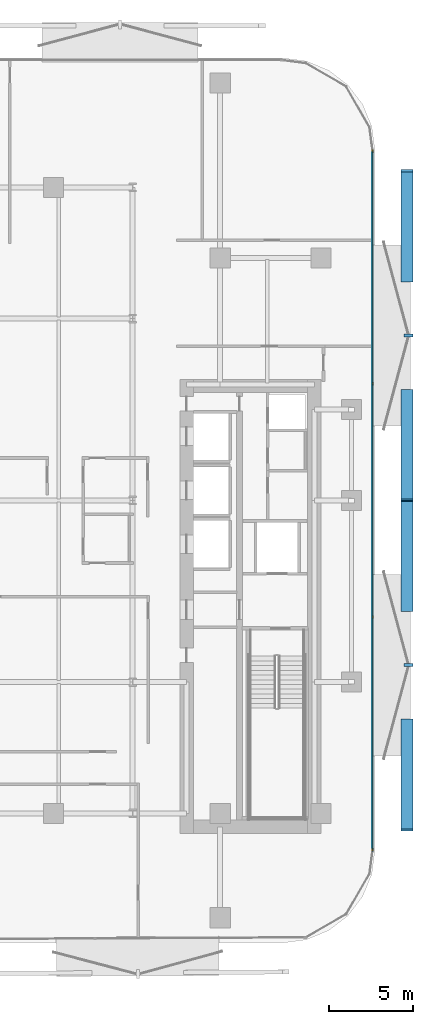
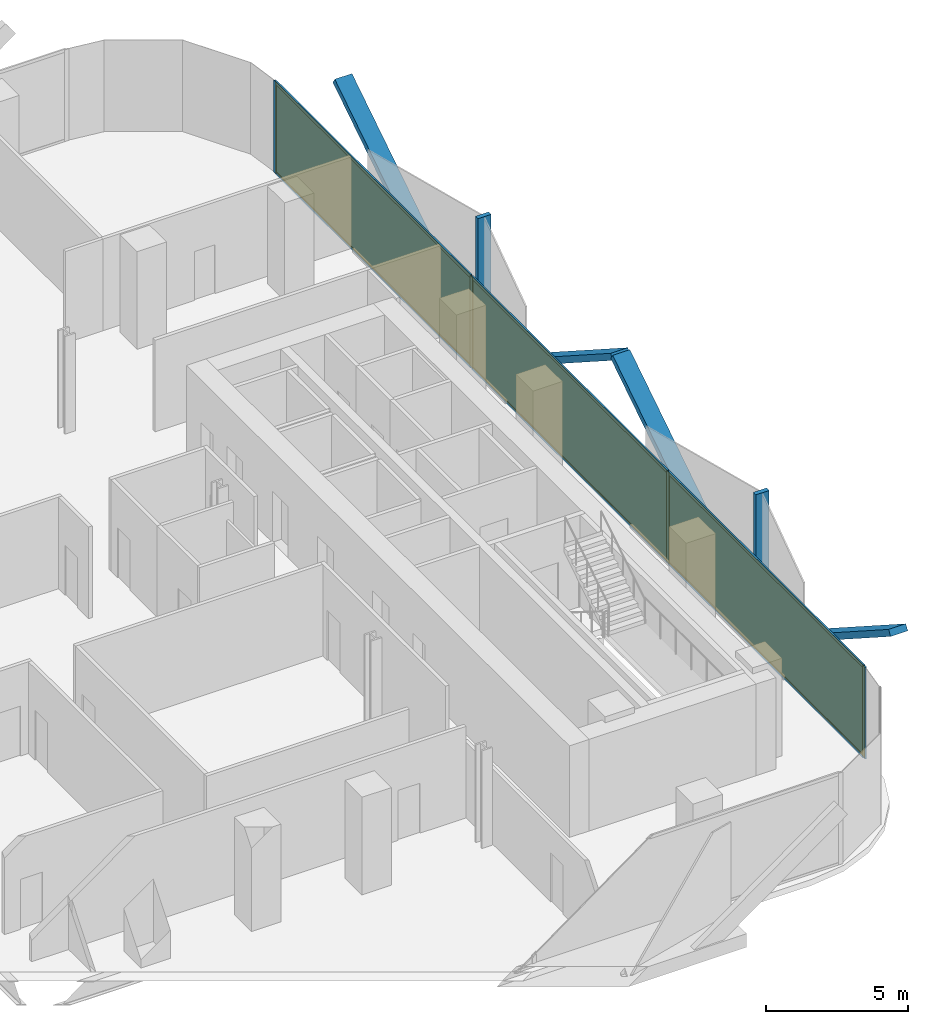
# One storey, part 9 of 15: 16 members, 3 plates, 1 curtain wall.
"""IFC4 building model written with IfcOpenShell, lengths in metres."""

from ifc_helpers import new_model, si_unit, direction, frame, frame_2d, origin, origin_2d, place, context, subcontext, project, spatial, rectangle, extrude, material, layer, layer_set, material_profile, profile_set, type_object, element, aggregate, save


model = new_model("IFC4")

# Units and contexts
model_context = context("Model", 3, precision=1e-05, world=origin(), true_north=direction((0.0, 1.0)))
body_context = subcontext(model_context, "Body", "Model", "MODEL_VIEW")
ifc_project = project(units=[si_unit("LENGTHUNIT", "METRE"), si_unit("AREAUNIT", "SQUARE_METRE"), si_unit("VOLUMEUNIT", "CUBIC_METRE"), si_unit("PLANEANGLEUNIT", "RADIAN"), si_unit("MASSUNIT", "GRAM", prefix="KILO")], contexts=[model_context])

# Member
ifc_material_1 = material(Name="Anodised Bronze Aluminium 6063-T6", Category="aluminium")
ifc_material_profile_1 = material_profile(ifc_material_1, rectangle(XDim=0.260009765625, YDim=0.699951171875, at=origin_2d()))
ifc_profile_set_1 = profile_set([ifc_material_profile_1], Name="Anodised Bronze Aluminium 6063-T6")
member_type_1 = type_object("IfcMemberType", Name="Bronze Diamond Solar-Screen Lattice Rib BDL-700", PredefinedType="MULLION", material=ifc_profile_set_1)
site_placement = place(None, origin())
building_placement = place(site_placement, origin())
storey_placement = place(building_placement, frame((0.0, 0.0, 126.800048828125)))
member_1_placement = place(storey_placement, frame((25.5, 6.5302734375, -0.130126953125), z_axis=(0.0, -0.841051770023, 0.540954637785), x_axis=(0.0, -0.540954637785, -0.841051770023)))
member_1 = element("IfcMember", 1, at=member_1_placement, type_object=member_type_1, Name="L29 Bronze Diamond Solar Screen Lattice Rib 183A", PredefinedType="MULLION", context=body_context, shape_type="SweptSolid", body=[
    extrude(rectangle(XDim=0.260009765625, YDim=0.699951171875, at=origin_2d()), origin(), (0.0, 0.0, 1.0), 7.764404296875),
])

member_2_placement = place(storey_placement, frame((25.5, 13.060546875, -0.130126953125), z_axis=(0.0, 0.841051770023, 0.540954637785), x_axis=(0.0, 0.540954637785, -0.841051770023)))
member_2 = element("IfcMember", 2, at=member_2_placement, type_object=member_type_1, Name="L29 Bronze Diamond Solar Screen Lattice Rib 183B", PredefinedType="MULLION", context=body_context, shape_type="SweptSolid", body=[
    extrude(rectangle(XDim=0.260009765625, YDim=0.699951171875, at=origin_2d()), origin(), (0.0, 0.0, 1.0), 7.764404296875),
])

member_3_placement = place(storey_placement, frame((25.5, -13.060546875, -0.130126953125), z_axis=(0.0, -0.841051770023, 0.540954637785), x_axis=(0.0, -0.540954637785, -0.841051770023)))
member_3 = element("IfcMember", 3, at=member_3_placement, type_object=member_type_1, Name="L29 Bronze Diamond Solar Screen Lattice Rib 184A", PredefinedType="MULLION", context=body_context, shape_type="SweptSolid", body=[
    extrude(rectangle(XDim=0.260009765625, YDim=0.699951171875, at=origin_2d()), origin(), (0.0, 0.0, 1.0), 7.764404296875),
])

member_4_placement = place(storey_placement, frame((25.5, -6.5302734375, -0.130126953125), z_axis=(0.0, 0.841051770023, 0.540954637785), x_axis=(0.0, 0.540954637785, -0.841051770023)))
member_4 = element("IfcMember", 4, at=member_4_placement, type_object=member_type_1, Name="L29 Bronze Diamond Solar Screen Lattice Rib 184B", PredefinedType="MULLION", context=body_context, shape_type="SweptSolid", body=[
    extrude(rectangle(XDim=0.260009765625, YDim=0.699951171875, at=origin_2d()), origin(), (0.0, 0.0, 1.0), 7.764404296875),
])

ifc_material_2 = material(Name="Anodised Bronze Aluminium 6063-T6", Category="aluminium")
ifc_material_profile_2 = material_profile(ifc_material_2, rectangle(XDim=0.179931640625, YDim=0.5400390625, at=origin_2d()))
ifc_profile_set_2 = profile_set([ifc_material_profile_2], Name="Anodised Bronze Aluminium 6063-T6")
member_type_2 = type_object("IfcMemberType", Name="Bronze Solar-Screen Vertical Fold Fin BSF-540", PredefinedType="MULLION", material=ifc_profile_set_2)
member_5_placement = place(storey_placement, frame((25.580078125, 9.79541015625, -0.130126953125), z_axis=(0.0, 0.0, 1.0), x_axis=(0.0, -1.0, 0.0)))
member_5 = element("IfcMember", 5, at=member_5_placement, type_object=member_type_2, Name="L29 Bronze Solar Screen Vertical Fin 183", PredefinedType="MULLION", context=body_context, shape_type="SweptSolid", body=[
    extrude(rectangle(XDim=0.179931640625, YDim=0.5400390625, at=origin_2d()), origin(), (0.0, 0.0, 1.0), 4.2001953125),
])

member_6_placement = place(storey_placement, frame((25.580078125, -9.79541015625, -0.130126953125), z_axis=(0.0, 0.0, 1.0), x_axis=(0.0, -1.0, 0.0)))
member_6 = element("IfcMember", 6, at=member_6_placement, type_object=member_type_2, Name="L29 Bronze Solar Screen Vertical Fin 184", PredefinedType="MULLION", context=body_context, shape_type="SweptSolid", body=[
    extrude(rectangle(XDim=0.179931640625, YDim=0.5400390625, at=origin_2d()), origin(), (0.0, 0.0, 1.0), 4.2001953125),
])

ifc_material_3 = material(Name="Anodised Bronze Aluminium 6063-T6", Category="aluminium")
ifc_material_profile_3 = material_profile(ifc_material_3, rectangle(XDim=0.06494140625, YDim=0.175048828125, at=origin_2d()))
ifc_profile_set_3 = profile_set([ifc_material_profile_3], Name="Anodised Bronze Aluminium 6063-T6")
member_type_3 = type_object("IfcMemberType", Name="CW-Z2 Mullion 65x175", PredefinedType="MULLION", material=ifc_profile_set_3)
member_7_placement = place(storey_placement, frame((23.4599609375, 20.75830078125, 0.0), z_axis=(0.0, 0.0, 1.0), x_axis=(1.0, 0.0, 0.0)))
member_7 = element("IfcMember", 7, at=member_7_placement, type_object=member_type_3, Name="CW-Z2 mullion 1", PredefinedType="MULLION", context=body_context, shape_type="SweptSolid", body=[
    extrude(rectangle(XDim=0.06494140625, YDim=0.175048828125, at=origin_2d()), origin(), (0.0, 0.0, 1.0), 3.93994140625),
])

member_8_placement = place(storey_placement, frame((23.4599609375, 6.93017578125, 0.0), z_axis=(0.0, 0.0, 1.0), x_axis=(1.0, 0.0, 0.0)))
member_8 = element("IfcMember", 8, at=member_8_placement, type_object=member_type_3, Name="CW-Z2 mullion 2", PredefinedType="MULLION", context=body_context, shape_type="SweptSolid", body=[
    extrude(rectangle(XDim=0.06494140625, YDim=0.175048828125, at=origin_2d()), origin(), (0.0, 0.0, 1.0), 3.93994140625),
])

member_9_placement = place(storey_placement, frame((23.4599609375, -6.93017578125, 0.0), z_axis=(0.0, 0.0, 1.0), x_axis=(1.0, 0.0, 0.0)))
member_9 = element("IfcMember", 9, at=member_9_placement, type_object=member_type_3, Name="CW-Z2 mullion 3", PredefinedType="MULLION", context=body_context, shape_type="SweptSolid", body=[
    extrude(rectangle(XDim=0.06494140625, YDim=0.175048828125, at=origin_2d()), origin(), (0.0, 0.0, 1.0), 3.93994140625),
])

member_10_placement = place(storey_placement, frame((23.4599609375, -20.75830078125, 0.0), z_axis=(0.0, 0.0, 1.0), x_axis=(1.0, 0.0, 0.0)))
member_10 = element("IfcMember", 10, at=member_10_placement, type_object=member_type_3, Name="CW-Z2 mullion 4", PredefinedType="MULLION", context=body_context, shape_type="SweptSolid", body=[
    extrude(rectangle(XDim=0.06494140625, YDim=0.175048828125, at=origin_2d()), origin(), (0.0, 0.0, 1.0), 3.93994140625),
])

ifc_material_4 = material(Name="Anodised Bronze Aluminium 6063-T6", Category="aluminium")
ifc_material_profile_4 = material_profile(ifc_material_4, rectangle(XDim=0.06494140625, YDim=0.135009765625, at=origin_2d()))
ifc_profile_set_4 = profile_set([ifc_material_profile_4], Name="Anodised Bronze Aluminium 6063-T6")
member_type_4 = type_object("IfcMemberType", Name="CW-Z2 Transom 65x135", PredefinedType="USERDEFINED", material=ifc_profile_set_4)
member_11_placement = place(storey_placement, frame((23.4599609375, 20.725830078125, 0.032470703125), z_axis=(0.0, -1.0, 0.0), x_axis=(1.0, 0.0, 0.0)))
member_11 = element("IfcMember", 11, at=member_11_placement, type_object=member_type_4, Name="CW-Z2 transom 1.1", ObjectType="TRANSOM", PredefinedType="USERDEFINED", context=body_context, shape_type="SweptSolid", body=[
    extrude(rectangle(XDim=0.06494140625, YDim=0.135009765625, at=origin_2d()), origin(), (0.0, 0.0, 1.0), 13.76318359375),
])

member_12_placement = place(storey_placement, frame((23.4599609375, 20.725830078125, 3.907470703125), z_axis=(0.0, -1.0, 0.0), x_axis=(1.0, 0.0, 0.0)))
member_12 = element("IfcMember", 12, at=member_12_placement, type_object=member_type_4, Name="CW-Z2 transom 1.2", ObjectType="TRANSOM", PredefinedType="USERDEFINED", context=body_context, shape_type="SweptSolid", body=[
    extrude(rectangle(XDim=0.06494140625, YDim=0.135009765625, at=origin_2d()), origin(), (0.0, 0.0, 1.0), 13.76318359375),
])

member_13_placement = place(storey_placement, frame((23.4599609375, 6.897705078125, 0.032470703125), z_axis=(0.0, -1.0, 0.0), x_axis=(1.0, 0.0, 0.0)))
member_13 = element("IfcMember", 13, at=member_13_placement, type_object=member_type_4, Name="CW-Z2 transom 2.1", ObjectType="TRANSOM", PredefinedType="USERDEFINED", context=body_context, shape_type="SweptSolid", body=[
    extrude(rectangle(XDim=0.06494140625, YDim=0.135009765625, at=origin_2d()), origin(), (0.0, 0.0, 1.0), 13.79541015625),
])

member_14_placement = place(storey_placement, frame((23.4599609375, 6.897705078125, 3.907470703125), z_axis=(0.0, -1.0, 0.0), x_axis=(1.0, 0.0, 0.0)))
member_14 = element("IfcMember", 14, at=member_14_placement, type_object=member_type_4, Name="CW-Z2 transom 2.2", ObjectType="TRANSOM", PredefinedType="USERDEFINED", context=body_context, shape_type="SweptSolid", body=[
    extrude(rectangle(XDim=0.06494140625, YDim=0.135009765625, at=origin_2d()), origin(), (0.0, 0.0, 1.0), 13.79541015625),
])

member_15_placement = place(storey_placement, frame((23.4599609375, -6.962646484375, 0.032470703125), z_axis=(0.0, -1.0, 0.0), x_axis=(1.0, 0.0, 0.0)))
member_15 = element("IfcMember", 15, at=member_15_placement, type_object=member_type_4, Name="CW-Z2 transom 3.1", ObjectType="TRANSOM", PredefinedType="USERDEFINED", context=body_context, shape_type="SweptSolid", body=[
    extrude(rectangle(XDim=0.06494140625, YDim=0.135009765625, at=origin_2d()), origin(), (0.0, 0.0, 1.0), 13.76318359375),
])

member_16_placement = place(storey_placement, frame((23.4599609375, -6.962646484375, 3.907470703125), z_axis=(0.0, -1.0, 0.0), x_axis=(1.0, 0.0, 0.0)))
member_16 = element("IfcMember", 16, at=member_16_placement, type_object=member_type_4, Name="CW-Z2 transom 3.2", ObjectType="TRANSOM", PredefinedType="USERDEFINED", context=body_context, shape_type="SweptSolid", body=[
    extrude(rectangle(XDim=0.06494140625, YDim=0.135009765625, at=origin_2d()), origin(), (0.0, 0.0, 1.0), 13.76318359375),
])

# Plate
ifc_material_5 = material(Name="Low-E Solar Control Laminated Glass", Category="glass")
ifc_layer_1 = layer(ifc_material_5, 0.028076171875, Name="Low-E Solar Control Laminated Glass")
ifc_layer_set_1 = layer_set([ifc_layer_1], Name="Low-E Solar Control Laminated Glass")
plate_type = type_object("IfcPlateType", Name="CW-Z2 Low-E Double Glazed Panel 28mm", PredefinedType="CURTAIN_PANEL", material=ifc_layer_set_1)
plate_1_placement = place(storey_placement, frame((23.4599609375, 13.84423828125, 0.06494140625), z_axis=(0.0, 0.0, 1.0), x_axis=(0.0, -1.0, 0.0)))
plate_1 = element("IfcPlate", 17, at=plate_1_placement, type_object=plate_type, Name="CW-Z2 panel 1.1", PredefinedType="CURTAIN_PANEL", context=body_context, shape_type="SweptSolid", body=[
    extrude(rectangle(XDim=13.762939453125, YDim=0.028076171875, at=origin_2d()), origin(), (0.0, 0.0, 1.0), 3.81005859375),
])

plate_2_placement = place(storey_placement, frame((23.4599609375, 0.0, 0.06494140625), z_axis=(0.0, 0.0, 1.0), x_axis=(0.0, -1.0, 0.0)))
plate_2 = element("IfcPlate", 18, at=plate_2_placement, type_object=plate_type, Name="CW-Z2 panel 2.1", PredefinedType="CURTAIN_PANEL", context=body_context, shape_type="SweptSolid", body=[
    extrude(rectangle(XDim=13.795654296875, YDim=0.028076171875, at=origin_2d()), origin(), (0.0, 0.0, 1.0), 3.81005859375),
])

plate_3_placement = place(storey_placement, frame((23.4599609375, -13.84423828125, 0.06494140625), z_axis=(0.0, 0.0, 1.0), x_axis=(0.0, -1.0, 0.0)))
plate_3 = element("IfcPlate", 19, at=plate_3_placement, type_object=plate_type, Name="CW-Z2 panel 3.1", PredefinedType="CURTAIN_PANEL", context=body_context, shape_type="SweptSolid", body=[
    extrude(rectangle(XDim=13.762939453125, YDim=0.028076171875, at=origin_2d()), origin(), (0.0, 0.0, 1.0), 3.81005859375),
])

# Site, building, storey
site = spatial("IfcSite", under=ifc_project, at=site_placement, CompositionType="ELEMENT")
building = spatial("IfcBuilding", under=site, at=building_placement, Name="Khairoan Windgate Tower", CompositionType="ELEMENT")
storey = spatial("IfcBuildingStorey", under=building, at=storey_placement, Name="L29", CompositionType="ELEMENT", Elevation=126.800048828125)

# Curtain wall
ifc_material_6 = material(Name="Anodised Bronze Aluminium 6063-T6", Category="aluminium")
ifc_layer_2 = layer(ifc_material_6, 0.175048828125, Name="Anodised Bronze Aluminium 6063-T6")
ifc_layer_set_2 = layer_set([ifc_layer_2], Name="Anodised Bronze Aluminium 6063-T6")
curtain_wall_type = type_object("IfcCurtainWallType", Name="Mid-Rise Office Unitised Curtain Wall CW-Z2", PredefinedType="NOTDEFINED", material=ifc_layer_set_2)
curtain_wall_placement = place(storey_placement, frame((23.4599609375, 20.790771484375, 0.0), z_axis=(0.0, 0.0, 1.0), x_axis=(0.0, -1.0, 0.0)))
curtain_wall = element("IfcCurtainWall", 20, at=curtain_wall_placement, inside=storey, type_object=curtain_wall_type, Name="L29 Unitised Curtain Wall 16", PredefinedType="NOTDEFINED", context=body_context, shape_type="SweptSolid", body=[
    extrude(rectangle(XDim=41.58154296875, YDim=0.010009765625, at=frame_2d((20.790771484375, 0.0))), origin(), (0.0, 0.0, 1.0), 3.93994140625),
])

aggregate(curtain_wall, [member_7, member_8, member_9, member_10, member_11, member_12, plate_1, member_13, member_14, plate_2, member_15, member_16, plate_3, member_1, member_2, member_5, member_3, member_4, member_6])

save(model, "model.ifc")
